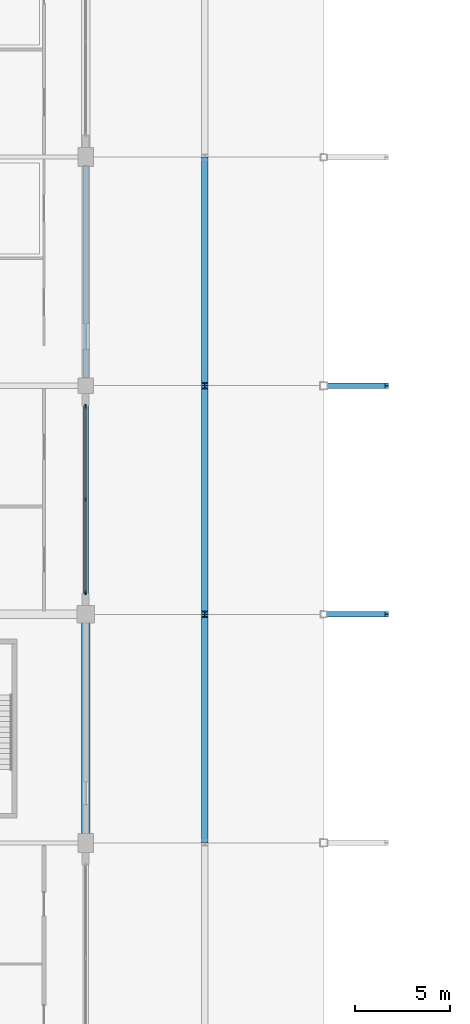
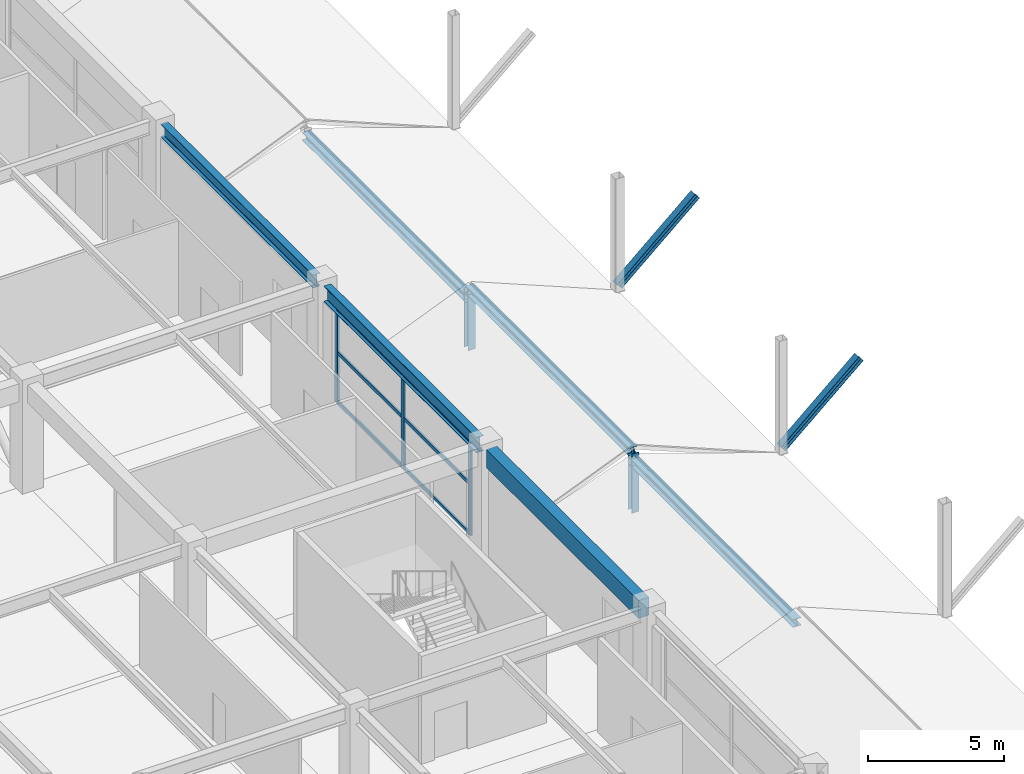
# One storey, part 24 of 116: 16 members, 3 beams, 1 element without a shape of its own.
"""IFC4 building model written with IfcOpenShell, lengths in metres."""

from ifc_helpers import new_model, si_unit, direction, frame, origin, origin_2d, place, context, subcontext, project, spatial, rectangle, i_section, extrude, material, layer, layer_set, material_profile, profile_set, type_object, element, aggregate, save


model = new_model("IFC4")

# Units and contexts
model_context = context("Model", 3, precision=1e-05, world=origin(), true_north=direction((0.0, 1.0)))
body_context = subcontext(model_context, "Body", "Model", "MODEL_VIEW")
ifc_project = project(units=[si_unit("LENGTHUNIT", "METRE"), si_unit("AREAUNIT", "SQUARE_METRE"), si_unit("VOLUMEUNIT", "CUBIC_METRE"), si_unit("PLANEANGLEUNIT", "RADIAN"), si_unit("MASSUNIT", "GRAM", prefix="KILO")], contexts=[model_context])

# Site, building, storey
site_placement = place(None, origin())
site = spatial("IfcSite", under=ifc_project, at=site_placement, CompositionType="ELEMENT")
building_placement = place(site_placement, origin())
building = spatial("IfcBuilding", under=site, at=building_placement, Name="Kazenohara Klinker Stadium", CompositionType="ELEMENT")
storey_placement = place(building_placement, frame((0.0, 0.0, 10.199951171875)))
storey = spatial("IfcBuildingStorey", under=building, at=storey_placement, Name="L02", CompositionType="ELEMENT", Elevation=10.199951171875)

# Beams
ifc_material_1 = material(Name="Concrete C40/50", Category="concrete")
ifc_material_profile_1 = material_profile(ifc_material_1, rectangle(XDim=0.449951171875, YDim=0.800048828125, at=origin_2d()), Name="RC-BM-450x800")
ifc_profile_set_1 = profile_set([ifc_material_profile_1], Name="Concrete C40/50")
beam_type_1 = type_object("IfcBeamType", Name="BM-RC03", PredefinedType="BEAM", material=ifc_profile_set_1)
beam_1_placement = place(storey_placement, frame((36.5, 72.419921875, 4.420166015625), z_axis=(0.0, 1.0, 0.0), x_axis=(-1.0, 0.0, 0.0)))
element("IfcBeam", 1, at=beam_1_placement, inside=storey, type_object=beam_type_1, Name="Primary girder BG03 L02 4/G-H", PredefinedType="BEAM", context=body_context, shape_type="SweptSolid", body=[
    extrude(rectangle(XDim=0.449951171875, YDim=0.800048828125, at=origin_2d()), origin(), (0.0, 0.0, 1.0), 11.16015625),
])
ifc_material_2 = material(Name="Steel S355", Category="steel")
ifc_material_profile_2 = material_profile(ifc_material_2, i_section(OverallWidth=0.300048828125, OverallDepth=0.699951171875, WebThickness=0.012939453125, FlangeThickness=0.02392578125, FilletRadius=0.02197265625, at=origin_2d()), Name="H-700x300x13x24")
ifc_profile_set_2 = profile_set([ifc_material_profile_2], Name="Steel S355")
beam_type_2 = type_object("IfcBeamType", Name="BM-ST03", PredefinedType="BEAM", material=ifc_profile_set_2)
beam_2_placement = place(storey_placement, frame((36.5, 84.419921875, 4.469970703125), z_axis=(0.0, 1.0, 0.0), x_axis=(-1.0, 0.0, 0.0)))
element("IfcBeam", 2, at=beam_2_placement, inside=storey, type_object=beam_type_2, Name="Primary girder SB03 L02 4/H-J", PredefinedType="BEAM", context=body_context, shape_type="SweptSolid", body=[
    extrude(i_section(OverallWidth=0.300048828125, OverallDepth=0.699951171875, WebThickness=0.012939453125, FlangeThickness=0.02392578125, FilletRadius=0.02197265625, at=origin_2d()), origin(), (0.0, 0.0, 1.0), 11.18017578125),
])
ifc_material_profile_3 = material_profile(ifc_material_2, i_section(OverallWidth=0.300048828125, OverallDepth=0.587890625, WebThickness=0.011962890625, FlangeThickness=0.02001953125, FilletRadius=0.02197265625, at=origin_2d()), Name="H-588x300x12x20")
ifc_profile_set_3 = profile_set([ifc_material_profile_3], Name="Steel S355")
beam_type_3 = type_object("IfcBeamType", Name="BM-ST05", PredefinedType="BEAM", material=ifc_profile_set_3)
beam_3_placement = place(storey_placement, frame((36.5, 96.39990234375, 4.526123046875), z_axis=(0.0, 1.0, 0.0), x_axis=(-1.0, 0.0, 0.0)))
element("IfcBeam", 3, at=beam_3_placement, inside=storey, type_object=beam_type_3, Name="Primary girder SB05 L02 4/J-K", PredefinedType="BEAM", context=body_context, shape_type="SweptSolid", body=[
    extrude(i_section(OverallWidth=0.300048828125, OverallDepth=0.587890625, WebThickness=0.011962890625, FlangeThickness=0.02001953125, FilletRadius=0.02197265625, at=origin_2d()), origin(), (0.0, 0.0, 1.0), 11.18017578125),
])

# Curtain wall, members
ifc_material_3 = material(Name="Anodised aluminium and triple glazing", Category="aluminium")
ifc_layer = layer(ifc_material_3, 0.199951171875)
ifc_layer_set = layer_set([ifc_layer], Name="Anodised aluminium and triple glazing")
curtain_wall_type = type_object("IfcCurtainWallType", Name="CW-SYS-03", PredefinedType="USERDEFINED", material=ifc_layer_set)
curtain_wall_placement = place(storey_placement, origin())
curtain_wall = element("IfcCurtainWall", 4, at=curtain_wall_placement, inside=storey, type_object=curtain_wall_type, Name="Unitised facade curtain wall CW03 L02 Y3-7", ObjectType="UNITISED CURTAIN WALL", PredefinedType="USERDEFINED")
ifc_material_4 = material(Name="Anodised aluminium 6063-T6", Category="aluminium")
ifc_material_profile_4 = material_profile(ifc_material_4, rectangle(XDim=0.074951171875, YDim=0.219970703125, at=origin_2d()), Name="ALU-MUL-75x220")
ifc_profile_set_4 = profile_set([ifc_material_profile_4], Name="Anodised aluminium 6063-T6")
member_type_1 = type_object("IfcMemberType", Name="CW-MUL-220", PredefinedType="MULLION", material=ifc_profile_set_4)
member_1_placement = place(storey_placement, frame((36.5, 85.1416015625, 0.0), z_axis=(0.0, 0.0, 1.0), x_axis=(-1.0, 0.0, 0.0)))
member_1 = element("IfcMember", 5, at=member_1_placement, type_object=member_type_1, Name="CW03 mullion 1", PredefinedType="MULLION", context=body_context, shape_type="SweptSolid", body=[
    extrude(rectangle(XDim=0.074951171875, YDim=0.219970703125, at=origin_2d()), origin(), (0.0, 0.0, 1.0), 4.1201171875),
])
member_2_placement = place(storey_placement, frame((36.5, 90.02490234375, 0.0), z_axis=(0.0, 0.0, 1.0), x_axis=(-1.0, 0.0, 0.0)))
member_2 = element("IfcMember", 6, at=member_2_placement, type_object=member_type_1, Name="CW03 mullion 2", PredefinedType="MULLION", context=body_context, shape_type="SweptSolid", body=[
    extrude(rectangle(XDim=0.074951171875, YDim=0.219970703125, at=origin_2d()), origin(), (0.0, 0.0, 1.0), 4.1201171875),
])
member_3_placement = place(storey_placement, frame((36.5, 94.908447265625, 0.0), z_axis=(0.0, 0.0, 1.0), x_axis=(-1.0, 0.0, 0.0)))
member_3 = element("IfcMember", 7, at=member_3_placement, type_object=member_type_1, Name="CW03 mullion 3", PredefinedType="MULLION", context=body_context, shape_type="SweptSolid", body=[
    extrude(rectangle(XDim=0.074951171875, YDim=0.219970703125, at=origin_2d()), origin(), (0.0, 0.0, 1.0), 4.1201171875),
])
ifc_material_profile_5 = material_profile(ifc_material_4, rectangle(XDim=0.074951171875, YDim=0.159912109375, at=origin_2d()), Name="ALU-TRN-75x160")
ifc_profile_set_5 = profile_set([ifc_material_profile_5], Name="Anodised aluminium 6063-T6")
member_type_2 = type_object("IfcMemberType", Name="CW-TRN-160", PredefinedType="USERDEFINED", material=ifc_profile_set_5)
member_4_placement = place(storey_placement, frame((36.5, 85.178955078125, 0.03759765625), z_axis=(0.0, 1.0, 0.0), x_axis=(-1.0, 0.0, 0.0)))
member_4 = element("IfcMember", 8, at=member_4_placement, type_object=member_type_2, Name="CW03 transom 1.1", ObjectType="TRANSOM", PredefinedType="USERDEFINED", context=body_context, shape_type="SweptSolid", body=[
    extrude(rectangle(XDim=0.074951171875, YDim=0.159912109375, at=origin_2d()), origin(), (0.0, 0.0, 1.0), 4.80859375),
])
member_5_placement = place(storey_placement, frame((36.5, 85.178955078125, 2.26611328125), z_axis=(0.0, 1.0, 0.0), x_axis=(-1.0, 0.0, 0.0)))
member_5 = element("IfcMember", 9, at=member_5_placement, type_object=member_type_2, Name="CW03 transom 1.2", ObjectType="TRANSOM", PredefinedType="USERDEFINED", context=body_context, shape_type="SweptSolid", body=[
    extrude(rectangle(XDim=0.074951171875, YDim=0.159912109375, at=origin_2d()), origin(), (0.0, 0.0, 1.0), 4.80859375),
])
member_6_placement = place(storey_placement, frame((36.5, 85.178955078125, 4.08251953125), z_axis=(0.0, 1.0, 0.0), x_axis=(-1.0, 0.0, 0.0)))
member_6 = element("IfcMember", 10, at=member_6_placement, type_object=member_type_2, Name="CW03 transom 1.3", ObjectType="TRANSOM", PredefinedType="USERDEFINED", context=body_context, shape_type="SweptSolid", body=[
    extrude(rectangle(XDim=0.074951171875, YDim=0.159912109375, at=origin_2d()), origin(), (0.0, 0.0, 1.0), 4.80859375),
])
member_7_placement = place(storey_placement, frame((36.5, 90.0625, 0.03759765625), z_axis=(0.0, 1.0, 0.0), x_axis=(-1.0, 0.0, 0.0)))
member_7 = element("IfcMember", 11, at=member_7_placement, type_object=member_type_2, Name="CW03 transom 2.1", ObjectType="TRANSOM", PredefinedType="USERDEFINED", context=body_context, shape_type="SweptSolid", body=[
    extrude(rectangle(XDim=0.074951171875, YDim=0.159912109375, at=origin_2d()), origin(), (0.0, 0.0, 1.0), 4.80859375),
])
member_8_placement = place(storey_placement, frame((36.5, 90.0625, 2.26611328125), z_axis=(0.0, 1.0, 0.0), x_axis=(-1.0, 0.0, 0.0)))
member_8 = element("IfcMember", 12, at=member_8_placement, type_object=member_type_2, Name="CW03 transom 2.2", ObjectType="TRANSOM", PredefinedType="USERDEFINED", context=body_context, shape_type="SweptSolid", body=[
    extrude(rectangle(XDim=0.074951171875, YDim=0.159912109375, at=origin_2d()), origin(), (0.0, 0.0, 1.0), 4.80859375),
])
member_9_placement = place(storey_placement, frame((36.5, 90.0625, 4.08251953125), z_axis=(0.0, 1.0, 0.0), x_axis=(-1.0, 0.0, 0.0)))
member_9 = element("IfcMember", 13, at=member_9_placement, type_object=member_type_2, Name="CW03 transom 2.3", ObjectType="TRANSOM", PredefinedType="USERDEFINED", context=body_context, shape_type="SweptSolid", body=[
    extrude(rectangle(XDim=0.074951171875, YDim=0.159912109375, at=origin_2d()), origin(), (0.0, 0.0, 1.0), 4.80859375),
])
aggregate(curtain_wall, [member_1, member_2, member_3, member_4, member_5, member_6, member_7, member_8, member_9])

# Members
ifc_material_profile_6 = material_profile(ifc_material_2, i_section(OverallWidth=0.300048828125, OverallDepth=0.300048828125, WebThickness=0.010009765625, FlangeThickness=0.014892578125, FilletRadius=0.012939453125, at=origin_2d()), Name="H-300x300x10x15")
ifc_profile_set_6 = profile_set([ifc_material_profile_6], Name="Steel S355")
member_type_3 = type_object("IfcMemberType", Name="MEM-BRC01", PredefinedType="BRACE", material=ifc_profile_set_6)
for number, where, z_axis, x_axis, name in (
    (14, (49.0, 84.0, 0.199951171875), (0.750987889423, 0.0, 0.660315977347), (0.0, 1.0, 0.0), "Upper bowl raking bracket strut BR01 West H"),
    (15, (49.0, 96.0, 0.199951171875), (0.750987889423, 0.0, 0.660315977347), (0.0, 1.0, 0.0), "Upper bowl raking bracket strut BR01 West J"),
):
    element("IfcMember", number, at=place(storey_placement, frame(where, z_axis=z_axis, x_axis=x_axis)), inside=storey, type_object=member_type_3, Name=name, PredefinedType="BRACE", context=body_context, shape_type="SweptSolid", body=[
        extrude(i_section(OverallWidth=0.300048828125, OverallDepth=0.300048828125, WebThickness=0.010009765625, FlangeThickness=0.014892578125, FilletRadius=0.012939453125, at=origin_2d()), origin(), (0.0, 0.0, 1.0), 4.394287109375),
    ])
ifc_material_profile_7 = material_profile(ifc_material_2, i_section(OverallWidth=0.35009765625, OverallDepth=0.35009765625, WebThickness=0.011962890625, FlangeThickness=0.01904296875, FilletRadius=0.012939453125, at=origin_2d()), Name="H-350x350x12x19")
ifc_profile_set_7 = profile_set([ifc_material_profile_7], Name="Steel S355")
member_type_4 = type_object("IfcMemberType", Name="MEM-CHD02", PredefinedType="CHORD", material=ifc_profile_set_7)
for number, where, z_axis, x_axis, name in (
    (16, (42.75, 72.0, 1.830078125), (0.0, 1.0, 0.0), (-1.0, 0.0, 0.0), "Stepped pavilion gable ridge beam L02 4/G"),
    (17, (42.75, 84.0, 2.22998046875), (0.0, 1.0, 0.0), (-1.0, 0.0, 0.0), "Stepped pavilion gable ridge beam L02 4/H"),
    (18, (42.75, 96.0, 1.830078125), (0.0, 1.0, 0.0), (-1.0, 0.0, 0.0), "Stepped pavilion gable ridge beam L02 4/J"),
):
    element("IfcMember", number, at=place(storey_placement, frame(where, z_axis=z_axis, x_axis=x_axis)), inside=storey, type_object=member_type_4, Name=name, PredefinedType="CHORD", context=body_context, shape_type="SweptSolid", body=[
        extrude(i_section(OverallWidth=0.35009765625, OverallDepth=0.35009765625, WebThickness=0.011962890625, FlangeThickness=0.01904296875, FilletRadius=0.012939453125, at=origin_2d()), origin(), (0.0, 0.0, 1.0), 12.0),
    ])
ifc_material_profile_8 = material_profile(ifc_material_2, i_section(OverallWidth=0.300048828125, OverallDepth=0.300048828125, WebThickness=0.010009765625, FlangeThickness=0.014892578125, FilletRadius=0.012939453125, at=origin_2d()), Name="H-300x300x10x15")
ifc_profile_set_8 = profile_set([ifc_material_profile_8], Name="Steel S355")
member_type_5 = type_object("IfcMemberType", Name="MEM-STR01", PredefinedType="STRUT", material=ifc_profile_set_8)
for number, where, z_axis, x_axis, name in (
    (19, (42.75, 84.0, -0.429931640625), (0.0, 0.0, 1.0), (1.0, 0.0, 0.0), "Stepped pavilion gable king-post L02 4/H S"),
    (20, (42.75, 96.0, -0.429931640625), (0.0, 0.0, 1.0), (1.0, 0.0, 0.0), "Stepped pavilion gable king-post L02 4/H N"),
):
    element("IfcMember", number, at=place(storey_placement, frame(where, z_axis=z_axis, x_axis=x_axis)), inside=storey, type_object=member_type_5, Name=name, PredefinedType="STRUT", context=body_context, shape_type="SweptSolid", body=[
        extrude(i_section(OverallWidth=0.300048828125, OverallDepth=0.300048828125, WebThickness=0.010009765625, FlangeThickness=0.014892578125, FilletRadius=0.012939453125, at=origin_2d()), origin(), (0.0, 0.0, 1.0), 2.659912109375),
    ])

save(model, "model.ifc")
